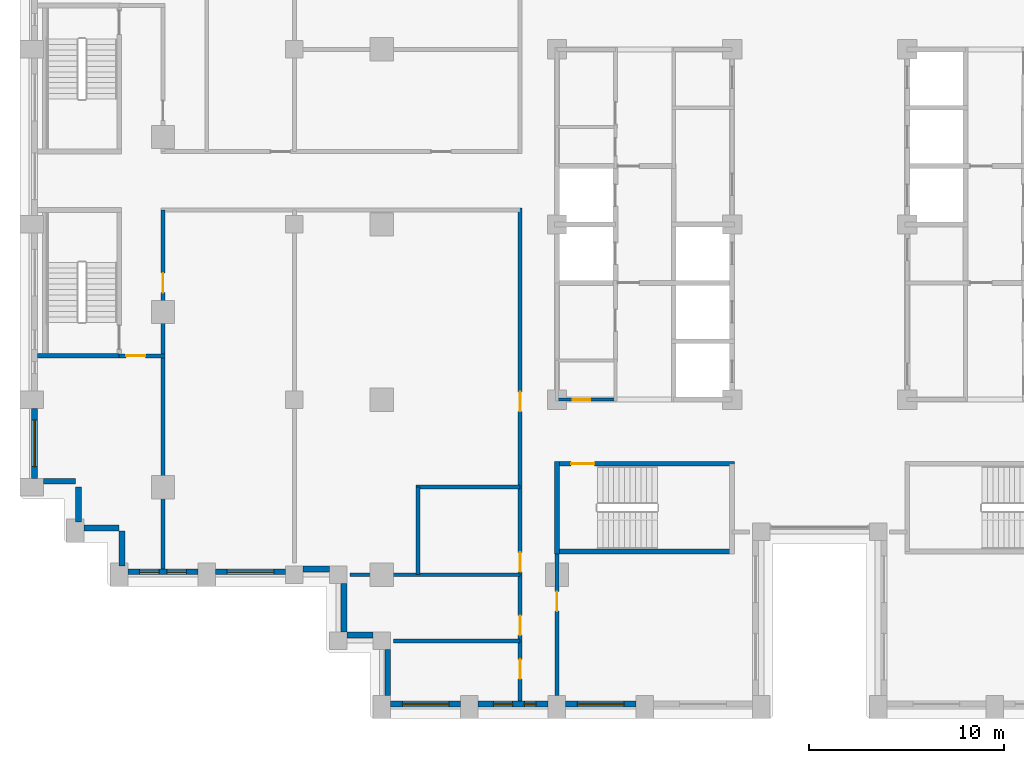
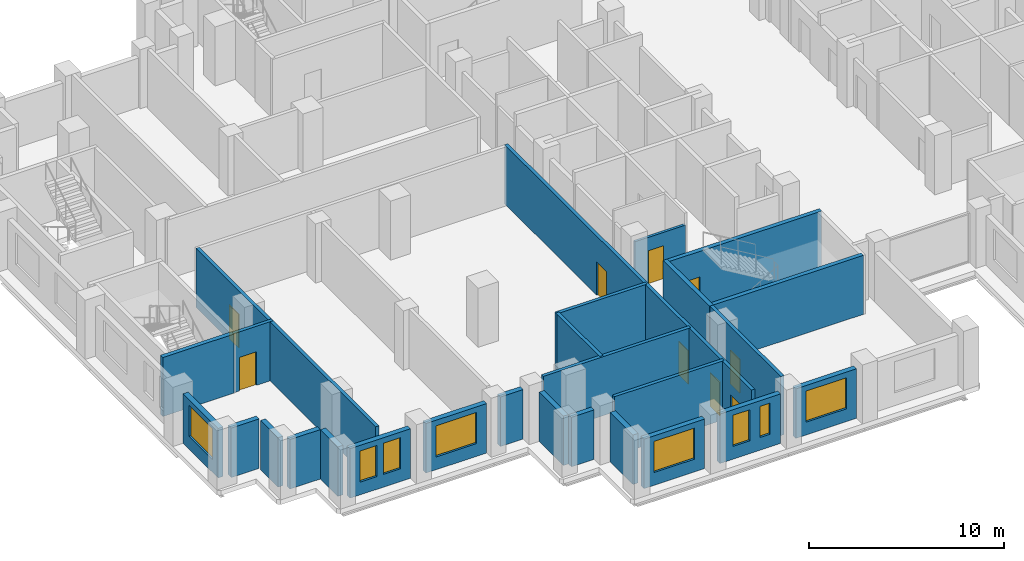
# One storey, part 6 of 16: 27 walls, 9 doors, 8 windows, 17 openings.
"""IFC4 building model written with IfcOpenShell, lengths in metres."""

import ifcopenshell
import ifcopenshell.guid

model = None  # the IFC model being written
_history = None  # IfcOwnerHistory: only IFC2X3 demands one
_inside = {}  # id of a spatial element -> (the spatial element, [elements in it])
_under = {}  # id of a project, library or spatial element -> (it, [spatial elements below it])
_declared = {}  # id of a project -> (the project, [libraries it declares])
_typed = {}  # id of a type object -> (the type object, [elements of that type])
_made_of = {}  # id of a material, layer set ... -> (it, [elements and type objects made of it])


def new_model(schema):
    """Start an empty IFC model of exactly this schema.

    Asked for "IFC4X3", IfcOpenShell would pick the latest addendum, in which some entities
    have other attributes; the version numbers below select the first issue.
    IFC2X3 requires an IfcOwnerHistory on every rooted entity: one is made here for all.
    """
    global model, _history
    if schema == "IFC4X3":
        model = ifcopenshell.file(schema_version=(4, 3, 0, 0))
    else:
        model = ifcopenshell.file(schema=schema)
    _inside.clear()
    _under.clear()
    _declared.clear()
    _typed.clear()
    _made_of.clear()
    _history = None
    if model.schema == "IFC2X3":
        org = make("IfcOrganization", Name="unknown")
        user = make(
            "IfcPersonAndOrganization",
            ThePerson=make("IfcPerson", FamilyName="unknown"),
            TheOrganization=org,
        )
        app = make(
            "IfcApplication",
            ApplicationDeveloper=org,
            Version="unknown",
            ApplicationFullName="unknown",
            ApplicationIdentifier="unknown",
        )
        _history = make(
            "IfcOwnerHistory",
            OwningUser=user,
            OwningApplication=app,
            ChangeAction="ADDED",
            CreationDate=0,
        )
    return model


def make(cls, **values):
    """One entity of the class cls with the attributes given. An attribute that is None is left unset."""
    return model.create_entity(
        cls, **{name: value for name, value in values.items() if value is not None}
    )


def rooted(cls, **values):
    """An entity with a GlobalId (a new one), such as an element, a storey or a relation."""
    return make(cls, GlobalId=ifcopenshell.guid.new(), OwnerHistory=_history, **values)


def si_unit(unit_type, name, prefix=None):
    """IfcSIUnit, for example si_unit("LENGTHUNIT", "METRE", prefix="MILLI")."""
    return make("IfcSIUnit", UnitType=unit_type, Prefix=prefix, Name=name)


def assignment(units):
    """IfcUnitAssignment: the units of a project."""
    return None if units is None else make("IfcUnitAssignment", Units=units)


def point(xyz):
    """IfcCartesianPoint."""
    return None if xyz is None else make("IfcCartesianPoint", Coordinates=xyz)


def direction(xyz):
    """IfcDirection."""
    return None if xyz is None else make("IfcDirection", DirectionRatios=xyz)


def frame(location, z_axis=None, x_axis=None):
    """IfcAxis2Placement3D, a coordinate frame: its origin and axes. An axis left out is left unset."""
    return make(
        "IfcAxis2Placement3D",
        Location=point(location),
        Axis=direction(z_axis),
        RefDirection=direction(x_axis),
    )


def frame_2d(location, x_axis=None):
    """IfcAxis2Placement2D, a coordinate frame in the plane: its origin and x axis."""
    return make(
        "IfcAxis2Placement2D", Location=point(location), RefDirection=direction(x_axis)
    )


def origin():
    """The frame at (0, 0, 0) with its axes left unset."""
    return frame((0.0, 0.0, 0.0))


def place(relative_to, where):
    """IfcLocalPlacement: puts the frame where relative to a parent placement (None: the world)."""
    return make(
        "IfcLocalPlacement", PlacementRelTo=relative_to, RelativePlacement=where
    )


def context(
    kind, dimensions, precision=None, world=None, true_north=None, identifier=None
):
    """IfcGeometricRepresentationContext, for example the 3D "Model" context."""
    return make(
        "IfcGeometricRepresentationContext",
        ContextIdentifier=identifier,
        ContextType=kind,
        CoordinateSpaceDimension=dimensions,
        Precision=precision,
        WorldCoordinateSystem=world,
        TrueNorth=true_north,
    )


def subcontext(parent, identifier, kind, view, scale=None):
    """IfcGeometricRepresentationSubContext, for example "Body" below "Model"."""
    return make(
        "IfcGeometricRepresentationSubContext",
        ContextIdentifier=identifier,
        ContextType=kind,
        ParentContext=parent,
        TargetScale=scale,
        TargetView=view,
    )


def project(units=None, contexts=None):
    """IfcProject with its units and contexts."""
    return rooted(
        "IfcProject",
        Name="project",
        RepresentationContexts=contexts,
        UnitsInContext=assignment(units),
    )


def spatial(cls, under=None, at=None, **own):
    """A site, building, storey or space (cls), placed at a placement, below another one or the project."""
    s = rooted(cls, ObjectPlacement=at, **own)
    if under is not None:
        _under.setdefault(under.id(), (under, []))[1].append(s)
    return s


def profile(cls, at=None, kind="AREA", **sizes):
    """A parametric profile (cls). Its sizes go by their IFC names, for example OverallWidth=200.0."""
    return make(cls, ProfileType=kind, Position=at, **sizes)


def rectangle(**sizes):
    """IfcRectangleProfileDef."""
    return profile("IfcRectangleProfileDef", **sizes)


def extrude(swept, where, along, depth):
    """IfcExtrudedAreaSolid: the profile swept, set in the frame where, extruded along a direction by depth."""
    return make(
        "IfcExtrudedAreaSolid",
        SweptArea=swept,
        Position=where,
        ExtrudedDirection=direction(along),
        Depth=depth,
    )


def shape(context_of_items, identifier, shape_type, items):
    """IfcShapeRepresentation: the items that make up one representation, for example the "Body"."""
    return make(
        "IfcShapeRepresentation",
        ContextOfItems=context_of_items,
        RepresentationIdentifier=identifier,
        RepresentationType=shape_type,
        Items=items,
    )


def material(Name=None, Category=None):
    """IfcMaterial."""
    return make("IfcMaterial", Name=Name, Category=Category)


def layer(
    of_material, thickness, ventilated=None, Name=None, Category=None, Priority=None
):
    """IfcMaterialLayer: one layer of a wall or slab, of a material (None: an air gap)."""
    return make(
        "IfcMaterialLayer",
        Material=of_material,
        LayerThickness=thickness,
        IsVentilated=ventilated,
        Name=Name,
        Category=Category,
        Priority=Priority,
    )


def layer_set(layers, Name=None):
    """IfcMaterialLayerSet."""
    return make("IfcMaterialLayerSet", MaterialLayers=layers, LayerSetName=Name)


def made_of(thing, what):
    """Note that an element or type object is made of a material, layer set ...; save() writes the relation."""
    if what is not None:
        _made_of.setdefault(what.id(), (what, []))[1].append(thing)
    return thing


def type_object(cls, material=None, **own):
    """A type object (cls), such as IfcWallType, which elements share."""
    return made_of(rooted(cls, **own), material)


def element(
    cls,
    number,
    at=None,
    inside=None,
    cuts=None,
    type_object=None,
    material=None,
    context=None,
    identifier="Body",
    shape_type=None,
    held_by="IfcProductDefinitionShape",
    body=None,
    shapes=None,
    **own,
):
    """One element of the class cls, such as IfcWall. Its Tag is "e" and its number.

    at: its placement. inside: the storey or other place that contains it. cuts: it is an
    opening in that element (IfcRelVoidsElement). A single representation is given by context,
    identifier, shape_type and body (its items); several are given by shapes. held_by: the class
    of the entity that holds the representations. save() writes the other relations.
    """
    e = rooted(cls, Tag="e%d" % number, ObjectPlacement=at, **own)
    if body is not None:
        shapes = [shape(context, identifier, shape_type, body)]
    if shapes is not None:
        e.Representation = make(held_by, Representations=shapes)
    if inside is not None:
        _inside.setdefault(inside.id(), (inside, []))[1].append(e)
    if cuts is not None:
        rooted(
            "IfcRelVoidsElement", RelatingBuildingElement=cuts, RelatedOpeningElement=e
        )
    if type_object is not None:
        _typed.setdefault(type_object.id(), (type_object, []))[1].append(e)
    return made_of(e, material)


def fill(opening, filler):
    """IfcRelFillsElement: the door or window that sits in an opening."""
    return rooted(
        "IfcRelFillsElement",
        RelatingOpeningElement=opening,
        RelatedBuildingElement=filler,
    )


def aggregate(whole, parts):
    """IfcRelAggregates: a whole, such as a stair, and the parts it consists of."""
    return rooted("IfcRelAggregates", RelatingObject=whole, RelatedObjects=parts)


def save(model, path):
    """Write the relations noted so far, then the file.

    IfcRelAggregates (storeys below a building ...), IfcRelContainedInSpatialStructure (elements
    in a storey), IfcRelDefinesByType, IfcRelAssociatesMaterial and IfcRelDeclares: one each for
    every whole, place, type object, material and project.
    """
    for whole, parts in _under.values():
        aggregate(whole, parts)
    for where, things in _inside.values():
        rooted(
            "IfcRelContainedInSpatialStructure",
            RelatedElements=things,
            RelatingStructure=where,
        )
    for kind, things in _typed.values():
        rooted("IfcRelDefinesByType", RelatedObjects=things, RelatingType=kind)
    for what, things in _made_of.values():
        rooted("IfcRelAssociatesMaterial", RelatedObjects=things, RelatingMaterial=what)
    for by, libraries in _declared.values():
        rooted("IfcRelDeclares", RelatingContext=by, RelatedDefinitions=libraries)
    model.write(path)


model = new_model("IFC4")

# Units and contexts
model_context = context("Model", 3, precision=1e-05, world=origin(), true_north=direction((0.0, 1.0)))
body_context = subcontext(model_context, "Body", "Model", "MODEL_VIEW")
ifc_project = project(units=[si_unit("LENGTHUNIT", "METRE"), si_unit("AREAUNIT", "SQUARE_METRE"), si_unit("VOLUMEUNIT", "CUBIC_METRE"), si_unit("PLANEANGLEUNIT", "RADIAN"), si_unit("MASSUNIT", "GRAM", prefix="KILO")], contexts=[model_context])

# Site, building, storey
site_placement = place(None, origin())
site = spatial("IfcSite", under=ifc_project, at=site_placement, CompositionType="ELEMENT")
building_placement = place(site_placement, origin())
building = spatial("IfcBuilding", under=site, at=building_placement, Name="Corbelhall Arena Tower", CompositionType="ELEMENT")
storey_placement = place(building_placement, frame((0.0, 0.0, 76.0)))
storey = spatial("IfcBuildingStorey", under=building, at=storey_placement, Name="L11", CompositionType="ELEMENT", Elevation=76.0)

# Walls
ifc_material_1 = material(Name="Precast concrete C40/50 with granite facing", Category="masonry")
ifc_layer_1 = layer(ifc_material_1, 0.300048828125)
ifc_layer_set_1 = layer_set([ifc_layer_1], Name="EV-IW1 Infill panel 300")
wall_type_1 = type_object("IfcWallType", Name="EV-IW1 Infill panel 300", PredefinedType="SOLIDWALL", material=ifc_layer_set_1)
wall_1_placement = place(storey_placement, frame((-39.89990234375, -13.199951171875, 0.0), z_axis=(0.0, 0.0, 1.0), x_axis=(1.0, 0.0, 0.0)))
element("IfcWall", 1, at=wall_1_placement, inside=storey, type_object=wall_type_1, Name="Infill panel IW1", PredefinedType="SOLIDWALL", context=body_context, shape_type="SweptSolid", body=[
    extrude(rectangle(XDim=1.64990234375, YDim=0.300048828125, at=frame_2d((0.824951171875, 0.0))), origin(), (0.0, 0.0, 1.0), 3.10009765625),
])
for number, where, z_axis, x_axis, name in (
    (2, (-38.10009765625, -15.300048828125, 0.0), (0.0, 0.0, 1.0), (0.0, 1.0, 0.0), "Infill panel IW1"),
    (3, (-37.800048828125, -15.60009765625, 0.0), (0.0, 0.0, 1.0), (1.0, 0.0, 0.0), "Infill panel IW1"),
    (4, (-35.85009765625, -17.550048828125, 0.0), (0.0, 0.0, 1.0), (0.0, 1.0, 0.0), "Infill panel IW1"),
):
    element("IfcWall", number, at=place(storey_placement, frame(where, z_axis=z_axis, x_axis=x_axis)), inside=storey, type_object=wall_type_1, Name=name, PredefinedType="SOLIDWALL", context=body_context, shape_type="SweptSolid", body=[
        extrude(rectangle(XDim=1.800048828125, YDim=0.300048828125, at=frame_2d((0.89990234375, 0.0))), origin(), (0.0, 0.0, 1.0), 3.10009765625),
    ])

# Wall, opening, window
wall_2_placement = place(storey_placement, frame((-40.35009765625, -9.449951171875, 0.0), z_axis=(0.0, 0.0, 1.0), x_axis=(0.0, -1.0, 0.0)))
wall_2 = element("IfcWall", 5, at=wall_2_placement, inside=storey, type_object=wall_type_1, Name="Infill panel IW1", PredefinedType="SOLIDWALL", context=body_context, shape_type="SweptSolid", body=[
    extrude(rectangle(XDim=3.60009765625, YDim=0.300048828125, at=frame_2d((1.800048828125, 0.0))), origin(), (0.0, 0.0, 1.0), 3.10009765625),
])
opening_1_placement = place(wall_2_placement, frame((0.60009765625, 0.0, 0.800048828125)))
opening_1 = element("IfcOpeningElement", 6, at=opening_1_placement, cuts=wall_2, Name="Opening WN1", PredefinedType="OPENING", context=body_context, shape_type="SweptSolid", body=[
    extrude(rectangle(XDim=2.39990234375, YDim=1.949951171875, at=frame_2d((1.199951171875, 0.97509765625))), frame((0.0, 0.14990234375, 0.0), z_axis=(0.0, -1.0, 0.0), x_axis=(1.0, 0.0, 0.0)), (0.0, 0.0, 1.0), 0.300048828125),
])
ifc_material_2 = material(Name="Aluminium black anodised", Category="aluminium")
window_type_1 = type_object("IfcWindowType", Name="EV-WN1 Office window", PartitioningType="SINGLE_PANEL", PredefinedType="WINDOW", material=ifc_material_2)
window_1_placement = place(opening_1_placement, origin())
window_1 = element("IfcWindow", 7, at=window_1_placement, inside=storey, type_object=window_type_1, Name="Window WN1", OverallHeight=1.949951171875, OverallWidth=2.39990234375, PartitioningType="SINGLE_PANEL", PredefinedType="WINDOW", context=body_context, shape_type="SweptSolid", body=[
    extrude(rectangle(XDim=2.39990234375, YDim=1.949951171875, at=frame_2d((1.199951171875, 0.97509765625))), frame((0.0, 0.030029296875, 0.0), z_axis=(0.0, -1.0, 0.0), x_axis=(1.0, 0.0, 0.0)), (0.0, 0.0, 1.0), 0.06005859375),
])
fill(opening_1, window_1)

# Wall, openings, windows
wall_3_placement = place(storey_placement, frame((-35.550048828125, -17.85009765625, 0.0), z_axis=(0.0, 0.0, 1.0), x_axis=(1.0, 0.0, 0.0)))
wall_3 = element("IfcWall", 8, at=wall_3_placement, inside=storey, type_object=wall_type_1, Name="Infill panel IW1", PredefinedType="SOLIDWALL", context=body_context, shape_type="SweptSolid", body=[
    extrude(rectangle(XDim=3.60009765625, YDim=0.300048828125, at=frame_2d((1.800048828125, 0.0))), origin(), (0.0, 0.0, 1.0), 3.10009765625),
])
opening_2_placement = place(wall_3_placement, frame((0.60009765625, 0.0, 0.800048828125)))
opening_2 = element("IfcOpeningElement", 9, at=opening_2_placement, cuts=wall_3, Name="Opening WN6", PredefinedType="OPENING", context=body_context, shape_type="SweptSolid", body=[
    extrude(rectangle(XDim=1.0, YDim=1.949951171875, at=frame_2d((0.5, 0.97509765625))), frame((0.0, 0.14990234375, 0.0), z_axis=(0.0, -1.0, 0.0), x_axis=(1.0, 0.0, 0.0)), (0.0, 0.0, 1.0), 0.300048828125),
])
opening_3_placement = place(wall_3_placement, frame((2.0, 0.0, 0.800048828125)))
opening_3 = element("IfcOpeningElement", 10, at=opening_3_placement, cuts=wall_3, Name="Opening WN6", PredefinedType="OPENING", context=body_context, shape_type="SweptSolid", body=[
    extrude(rectangle(XDim=1.0, YDim=1.949951171875, at=frame_2d((0.5, 0.97509765625))), frame((0.0, 0.14990234375, 0.0), z_axis=(0.0, -1.0, 0.0), x_axis=(1.0, 0.0, 0.0)), (0.0, 0.0, 1.0), 0.300048828125),
])
window_type_2 = type_object("IfcWindowType", Name="EV-WN6 Office window 1000", PartitioningType="SINGLE_PANEL", PredefinedType="WINDOW", material=ifc_material_2)
window_2_placement = place(opening_2_placement, origin())
window_2 = element("IfcWindow", 11, at=window_2_placement, inside=storey, type_object=window_type_2, Name="Window WN6", OverallHeight=1.949951171875, OverallWidth=1.0, PartitioningType="SINGLE_PANEL", PredefinedType="WINDOW", context=body_context, shape_type="SweptSolid", body=[
    extrude(rectangle(XDim=1.0, YDim=1.949951171875, at=frame_2d((0.5, 0.97509765625))), frame((0.0, 0.030029296875, 0.0), z_axis=(0.0, -1.0, 0.0), x_axis=(1.0, 0.0, 0.0)), (0.0, 0.0, 1.0), 0.06005859375),
])
fill(opening_2, window_2)
window_3_placement = place(opening_3_placement, origin())
window_3 = element("IfcWindow", 12, at=window_3_placement, inside=storey, type_object=window_type_2, Name="Window WN6", OverallHeight=1.949951171875, OverallWidth=1.0, PartitioningType="SINGLE_PANEL", PredefinedType="WINDOW", context=body_context, shape_type="SweptSolid", body=[
    extrude(rectangle(XDim=1.0, YDim=1.949951171875, at=frame_2d((0.5, 0.97509765625))), frame((0.0, 0.030029296875, 0.0), z_axis=(0.0, -1.0, 0.0), x_axis=(1.0, 0.0, 0.0)), (0.0, 0.0, 1.0), 0.06005859375),
])
fill(opening_3, window_3)

# Wall, opening, window
wall_4_placement = place(storey_placement, frame((-31.050048828125, -17.85009765625, 0.0), z_axis=(0.0, 0.0, 1.0), x_axis=(1.0, 0.0, 0.0)))
wall_4 = element("IfcWall", 13, at=wall_4_placement, inside=storey, type_object=wall_type_1, Name="Infill panel IW1", PredefinedType="SOLIDWALL", context=body_context, shape_type="SweptSolid", body=[
    extrude(rectangle(XDim=3.60009765625, YDim=0.300048828125, at=frame_2d((1.800048828125, 0.0))), origin(), (0.0, 0.0, 1.0), 3.10009765625),
])
opening_4_placement = place(wall_4_placement, frame((0.60009765625, 0.0, 0.800048828125)))
opening_4 = element("IfcOpeningElement", 14, at=opening_4_placement, cuts=wall_4, Name="Opening WN1", PredefinedType="OPENING", context=body_context, shape_type="SweptSolid", body=[
    extrude(rectangle(XDim=2.39990234375, YDim=1.949951171875, at=frame_2d((1.199951171875, 0.97509765625))), frame((0.0, 0.14990234375, 0.0), z_axis=(0.0, -1.0, 0.0), x_axis=(1.0, 0.0, 0.0)), (0.0, 0.0, 1.0), 0.300048828125),
])
window_4_placement = place(opening_4_placement, origin())
window_4 = element("IfcWindow", 15, at=window_4_placement, inside=storey, type_object=window_type_1, Name="Window WN1", OverallHeight=1.949951171875, OverallWidth=2.39990234375, PartitioningType="SINGLE_PANEL", PredefinedType="WINDOW", context=body_context, shape_type="SweptSolid", body=[
    extrude(rectangle(XDim=2.39990234375, YDim=1.949951171875, at=frame_2d((1.199951171875, 0.97509765625))), frame((0.0, 0.030029296875, 0.0), z_axis=(0.0, -1.0, 0.0), x_axis=(1.0, 0.0, 0.0)), (0.0, 0.0, 1.0), 0.06005859375),
])
fill(opening_4, window_4)

# Walls
wall_5_placement = place(storey_placement, frame((-26.550048828125, -17.699951171875, 0.0), z_axis=(0.0, 0.0, 1.0), x_axis=(1.0, 0.0, 0.0)))
element("IfcWall", 16, at=wall_5_placement, inside=storey, type_object=wall_type_1, Name="Infill panel IW1", PredefinedType="SOLIDWALL", context=body_context, shape_type="SweptSolid", body=[
    extrude(rectangle(XDim=1.35009765625, YDim=0.300048828125, at=frame_2d((0.675048828125, 0.0))), origin(), (0.0, 0.0, 1.0), 3.10009765625),
])
wall_6_placement = place(storey_placement, frame((-24.449951171875, -18.449951171875, 0.0), z_axis=(0.0, 0.0, 1.0), x_axis=(0.0, -1.0, 0.0)))
element("IfcWall", 17, at=wall_6_placement, inside=storey, type_object=wall_type_1, Name="Infill panel IW1", PredefinedType="SOLIDWALL", context=body_context, shape_type="SweptSolid", body=[
    extrude(rectangle(XDim=2.5, YDim=0.300048828125, at=frame_2d((1.25, 0.0))), origin(), (0.0, 0.0, 1.0), 3.10009765625),
])
wall_7_placement = place(storey_placement, frame((-24.300048828125, -21.10009765625, 0.0), z_axis=(0.0, 0.0, 1.0), x_axis=(1.0, 0.0, 0.0)))
element("IfcWall", 18, at=wall_7_placement, inside=storey, type_object=wall_type_1, Name="Infill panel IW1", PredefinedType="SOLIDWALL", context=body_context, shape_type="SweptSolid", body=[
    extrude(rectangle(XDim=1.35009765625, YDim=0.300048828125, at=frame_2d((0.675048828125, 0.0))), origin(), (0.0, 0.0, 1.0), 3.10009765625),
])
wall_8_placement = place(storey_placement, frame((-22.199951171875, -21.85009765625, 0.0), z_axis=(0.0, 0.0, 1.0), x_axis=(0.0, -1.0, 0.0)))
element("IfcWall", 19, at=wall_8_placement, inside=storey, type_object=wall_type_1, Name="Infill panel IW1", PredefinedType="SOLIDWALL", context=body_context, shape_type="SweptSolid", body=[
    extrude(rectangle(XDim=2.349853515625, YDim=0.300048828125, at=frame_2d((1.1748046875, 0.0))), origin(), (0.0, 0.0, 1.0), 3.10009765625),
])

# Wall, opening, window
wall_9_placement = place(storey_placement, frame((-22.050048828125, -24.64990234375, 0.0), z_axis=(0.0, 0.0, 1.0), x_axis=(1.0, 0.0, 0.0)))
wall_9 = element("IfcWall", 20, at=wall_9_placement, inside=storey, type_object=wall_type_1, Name="Infill panel IW1", PredefinedType="SOLIDWALL", context=body_context, shape_type="SweptSolid", body=[
    extrude(rectangle(XDim=3.60009765625, YDim=0.300048828125, at=frame_2d((1.800048828125, 0.0))), origin(), (0.0, 0.0, 1.0), 3.10009765625),
])
opening_5_placement = place(wall_9_placement, frame((0.60009765625, 0.0, 0.800048828125)))
opening_5 = element("IfcOpeningElement", 21, at=opening_5_placement, cuts=wall_9, Name="Opening WN1", PredefinedType="OPENING", context=body_context, shape_type="SweptSolid", body=[
    extrude(rectangle(XDim=2.39990234375, YDim=1.949951171875, at=frame_2d((1.199951171875, 0.97509765625))), frame((0.0, 0.14990234375, 0.0), z_axis=(0.0, -1.0, 0.0), x_axis=(1.0, 0.0, 0.0)), (0.0, 0.0, 1.0), 0.300048828125),
])
window_5_placement = place(opening_5_placement, origin())
window_5 = element("IfcWindow", 22, at=window_5_placement, inside=storey, type_object=window_type_1, Name="Window WN1", OverallHeight=1.949951171875, OverallWidth=2.39990234375, PartitioningType="SINGLE_PANEL", PredefinedType="WINDOW", context=body_context, shape_type="SweptSolid", body=[
    extrude(rectangle(XDim=2.39990234375, YDim=1.949951171875, at=frame_2d((1.199951171875, 0.97509765625))), frame((0.0, 0.030029296875, 0.0), z_axis=(0.0, -1.0, 0.0), x_axis=(1.0, 0.0, 0.0)), (0.0, 0.0, 1.0), 0.06005859375),
])
fill(opening_5, window_5)

# Wall, openings, windows
wall_10_placement = place(storey_placement, frame((-17.550048828125, -24.64990234375, 0.0), z_axis=(0.0, 0.0, 1.0), x_axis=(1.0, 0.0, 0.0)))
wall_10 = element("IfcWall", 23, at=wall_10_placement, inside=storey, type_object=wall_type_1, Name="Infill panel IW1", PredefinedType="SOLIDWALL", context=body_context, shape_type="SweptSolid", body=[
    extrude(rectangle(XDim=3.60009765625, YDim=0.300048828125, at=frame_2d((1.800048828125, 0.0))), origin(), (0.0, 0.0, 1.0), 3.10009765625),
])
opening_6_placement = place(wall_10_placement, frame((0.77490234375, 0.0, 0.800048828125)))
opening_6 = element("IfcOpeningElement", 24, at=opening_6_placement, cuts=wall_10, Name="Opening WN6", PredefinedType="OPENING", context=body_context, shape_type="SweptSolid", body=[
    extrude(rectangle(XDim=1.0, YDim=1.949951171875, at=frame_2d((0.5, 0.97509765625))), frame((0.0, 0.14990234375, 0.0), z_axis=(0.0, -1.0, 0.0), x_axis=(1.0, 0.0, 0.0)), (0.0, 0.0, 1.0), 0.300048828125),
])
opening_7_placement = place(wall_10_placement, frame((2.375, 0.0, 0.800048828125)))
opening_7 = element("IfcOpeningElement", 25, at=opening_7_placement, cuts=wall_10, Name="Opening WN5", PredefinedType="OPENING", context=body_context, shape_type="SweptSolid", body=[
    extrude(rectangle(XDim=0.60009765625, YDim=1.949951171875, at=frame_2d((0.300048828125, 0.97509765625))), frame((0.0, 0.14990234375, 0.0), z_axis=(0.0, -1.0, 0.0), x_axis=(1.0, 0.0, 0.0)), (0.0, 0.0, 1.0), 0.300048828125),
])
window_type_3 = type_object("IfcWindowType", Name="EV-WN5 Office window 600", PartitioningType="SINGLE_PANEL", PredefinedType="WINDOW", material=ifc_material_2)
window_6_placement = place(opening_7_placement, origin())
window_6 = element("IfcWindow", 26, at=window_6_placement, inside=storey, type_object=window_type_3, Name="Window WN5", OverallHeight=1.949951171875, OverallWidth=0.60009765625, PartitioningType="SINGLE_PANEL", PredefinedType="WINDOW", context=body_context, shape_type="SweptSolid", body=[
    extrude(rectangle(XDim=0.60009765625, YDim=1.949951171875, at=frame_2d((0.300048828125, 0.97509765625))), frame((0.0, 0.030029296875, 0.0), z_axis=(0.0, -1.0, 0.0), x_axis=(1.0, 0.0, 0.0)), (0.0, 0.0, 1.0), 0.06005859375),
])
fill(opening_7, window_6)
window_7_placement = place(opening_6_placement, origin())
window_7 = element("IfcWindow", 27, at=window_7_placement, inside=storey, type_object=window_type_2, Name="Window WN6", OverallHeight=1.949951171875, OverallWidth=1.0, PartitioningType="SINGLE_PANEL", PredefinedType="WINDOW", context=body_context, shape_type="SweptSolid", body=[
    extrude(rectangle(XDim=1.0, YDim=1.949951171875, at=frame_2d((0.5, 0.97509765625))), frame((0.0, 0.030029296875, 0.0), z_axis=(0.0, -1.0, 0.0), x_axis=(1.0, 0.0, 0.0)), (0.0, 0.0, 1.0), 0.06005859375),
])
fill(opening_6, window_7)

# Wall, opening, window
wall_11_placement = place(storey_placement, frame((-13.050048828125, -24.64990234375, 0.0), z_axis=(0.0, 0.0, 1.0), x_axis=(1.0, 0.0, 0.0)))
wall_11 = element("IfcWall", 28, at=wall_11_placement, inside=storey, type_object=wall_type_1, Name="Infill panel IW1", PredefinedType="SOLIDWALL", context=body_context, shape_type="SweptSolid", body=[
    extrude(rectangle(XDim=3.60009765625, YDim=0.300048828125, at=frame_2d((1.800048828125, 0.0))), origin(), (0.0, 0.0, 1.0), 3.10009765625),
])
opening_8_placement = place(wall_11_placement, frame((0.60009765625, 0.0, 0.800048828125)))
opening_8 = element("IfcOpeningElement", 29, at=opening_8_placement, cuts=wall_11, Name="Opening WN1", PredefinedType="OPENING", context=body_context, shape_type="SweptSolid", body=[
    extrude(rectangle(XDim=2.39990234375, YDim=1.949951171875, at=frame_2d((1.199951171875, 0.97509765625))), frame((0.0, 0.14990234375, 0.0), z_axis=(0.0, -1.0, 0.0), x_axis=(1.0, 0.0, 0.0)), (0.0, 0.0, 1.0), 0.300048828125),
])
window_8_placement = place(opening_8_placement, origin())
window_8 = element("IfcWindow", 30, at=window_8_placement, inside=storey, type_object=window_type_1, Name="Window WN1", OverallHeight=1.949951171875, OverallWidth=2.39990234375, PartitioningType="SINGLE_PANEL", PredefinedType="WINDOW", context=body_context, shape_type="SweptSolid", body=[
    extrude(rectangle(XDim=2.39990234375, YDim=1.949951171875, at=frame_2d((1.199951171875, 0.97509765625))), frame((0.0, 0.030029296875, 0.0), z_axis=(0.0, -1.0, 0.0), x_axis=(1.0, 0.0, 0.0)), (0.0, 0.0, 1.0), 0.06005859375),
])
fill(opening_8, window_8)

# Wall, opening, door
ifc_material_3 = material(Name="Gypsum board on steel stud, acoustic", Category="steel")
ifc_layer_2 = layer(ifc_material_3, 0.199951171875)
ifc_layer_set_2 = layer_set([ifc_layer_2], Name="IN-W-DM200")
wall_type_2 = type_object("IfcWallType", Name="IN-W-DM200", PredefinedType="PARTITIONING", material=ifc_layer_set_2)
wall_12_placement = place(storey_placement, frame((-33.75, 0.75, 0.0), z_axis=(0.0, 0.0, 1.0), x_axis=(0.0, -1.0, 0.0)))
wall_12 = element("IfcWall", 31, at=wall_12_placement, inside=storey, type_object=wall_type_2, Name="Partition 003", PredefinedType="PARTITIONING", context=body_context, shape_type="SweptSolid", body=[
    extrude(rectangle(XDim=18.449951171875, YDim=0.199951171875, at=frame_2d((9.22509765625, 0.0))), origin(), (0.0, 0.0, 1.0), 3.699951171875),
])
opening_9_placement = place(wall_12_placement, frame((3.25, 0.0, 0.0)))
opening_9 = element("IfcOpeningElement", 32, at=opening_9_placement, cuts=wall_12, Name="Opening 01043", PredefinedType="OPENING", context=body_context, shape_type="SweptSolid", body=[
    extrude(rectangle(XDim=1.0, YDim=2.10009765625, at=frame_2d((0.5, 1.050048828125))), frame((0.0, 0.10009765625, 0.0), z_axis=(0.0, -1.0, 0.0), x_axis=(1.0, 0.0, 0.0)), (0.0, 0.0, 1.0), 0.199951171875),
])
ifc_material_4 = material(Name="Steel door set", Category="steel")
door_type_1 = type_object("IfcDoorType", Name="IN-D-SW100", OperationType="NOTDEFINED", PredefinedType="DOOR", material=ifc_material_4)
door_1_placement = place(opening_9_placement, origin())
door_1 = element("IfcDoor", 33, at=door_1_placement, inside=storey, type_object=door_type_1, Name="Door 043", OperationType="SINGLE_SWING_RIGHT", OverallHeight=2.10009765625, OverallWidth=1.0, PredefinedType="DOOR", context=body_context, shape_type="SweptSolid", body=[
    extrude(rectangle(XDim=1.0, YDim=2.10009765625, at=frame_2d((0.5, 1.050048828125))), frame((0.0, 0.02490234375, 0.0), z_axis=(0.0, -1.0, 0.0), x_axis=(1.0, 0.0, 0.0)), (0.0, 0.0, 1.0), 0.050048828125),
])
fill(opening_9, door_1)

wall_13_placement = place(storey_placement, frame((-33.64990234375, -6.75, 0.0), z_axis=(0.0, 0.0, 1.0), x_axis=(-1.0, 0.0, 0.0)))
wall_13 = element("IfcWall", 34, at=wall_13_placement, inside=storey, type_object=wall_type_2, Name="Partition 005", PredefinedType="PARTITIONING", context=body_context, shape_type="SweptSolid", body=[
    extrude(rectangle(XDim=2.35009765625, YDim=0.199951171875, at=frame_2d((1.175048828125, 0.0))), origin(), (0.0, 0.0, 1.0), 3.699951171875),
])
opening_10_placement = place(wall_13_placement, frame((1.0, 0.0, 0.0)))
opening_10 = element("IfcOpeningElement", 35, at=opening_10_placement, cuts=wall_13, Name="Opening 01042", PredefinedType="OPENING", context=body_context, shape_type="SweptSolid", body=[
    extrude(rectangle(XDim=1.0, YDim=2.10009765625, at=frame_2d((0.5, 1.050048828125))), frame((0.0, 0.10009765625, 0.0), z_axis=(0.0, -1.0, 0.0), x_axis=(1.0, 0.0, 0.0)), (0.0, 0.0, 1.0), 0.199951171875),
])
door_2_placement = place(opening_10_placement, origin())
door_2 = element("IfcDoor", 36, at=door_2_placement, inside=storey, type_object=door_type_1, Name="Door 042", OperationType="SINGLE_SWING_LEFT", OverallHeight=2.10009765625, OverallWidth=1.0, PredefinedType="DOOR", context=body_context, shape_type="SweptSolid", body=[
    extrude(rectangle(XDim=1.0, YDim=2.10009765625, at=frame_2d((0.5, 1.050048828125))), frame((0.0, 0.02490234375, 0.0), z_axis=(0.0, -1.0, 0.0), x_axis=(1.0, 0.0, 0.0)), (0.0, 0.0, 1.0), 0.050048828125),
])
fill(opening_10, door_2)

# Walls
wall_14_placement = place(storey_placement, frame((-24.14990234375, -18.0, 0.0), z_axis=(0.0, 0.0, 1.0), x_axis=(1.0, 0.0, 0.0)))
element("IfcWall", 37, at=wall_14_placement, inside=storey, type_object=wall_type_2, Name="Partition 011", PredefinedType="PARTITIONING", context=body_context, shape_type="SweptSolid", body=[
    extrude(rectangle(XDim=8.75, YDim=0.199951171875, at=frame_2d((4.375, 0.0))), origin(), (0.0, 0.0, 1.0), 3.699951171875),
])
wall_15_placement = place(storey_placement, frame((-21.89990234375, -21.39990234375, 0.0), z_axis=(0.0, 0.0, 1.0), x_axis=(1.0, 0.0, 0.0)))
element("IfcWall", 38, at=wall_15_placement, inside=storey, type_object=wall_type_2, Name="Partition 012", PredefinedType="PARTITIONING", context=body_context, shape_type="SweptSolid", body=[
    extrude(rectangle(XDim=6.5, YDim=0.199951171875, at=frame_2d((3.25, 0.0))), origin(), (0.0, 0.0, 1.0), 3.699951171875),
])
wall_16_placement = place(storey_placement, frame((-20.75, -13.5, 0.0), z_axis=(0.0, 0.0, 1.0), x_axis=(1.0, 0.0, 0.0)))
element("IfcWall", 39, at=wall_16_placement, inside=storey, type_object=wall_type_2, Name="Partition 014", PredefinedType="PARTITIONING", context=body_context, shape_type="SweptSolid", body=[
    extrude(rectangle(XDim=5.35009765625, YDim=0.199951171875, at=frame_2d((2.675048828125, 0.0))), origin(), (0.0, 0.0, 1.0), 3.699951171875),
])
wall_17_placement = place(storey_placement, frame((-20.64990234375, -18.0, 0.0), z_axis=(0.0, 0.0, 1.0), x_axis=(0.0, 1.0, 0.0)))
element("IfcWall", 40, at=wall_17_placement, inside=storey, type_object=wall_type_2, Name="Partition 015", PredefinedType="PARTITIONING", context=body_context, shape_type="SweptSolid", body=[
    extrude(rectangle(XDim=4.5, YDim=0.199951171875, at=frame_2d((2.25, 0.0))), origin(), (0.0, 0.0, 1.0), 3.699951171875),
])

# Wall, openings, doors
wall_18_placement = place(storey_placement, frame((-15.39990234375, -24.5, 0.0), z_axis=(0.0, 0.0, 1.0), x_axis=(0.0, 1.0, 0.0)))
wall_18 = element("IfcWall", 41, at=wall_18_placement, inside=storey, type_object=wall_type_2, Name="Partition 016", PredefinedType="PARTITIONING", context=body_context, shape_type="SweptSolid", body=[
    extrude(rectangle(XDim=25.35009765625, YDim=0.199951171875, at=frame_2d((12.675048828125, 0.0))), origin(), (0.0, 0.0, 1.0), 3.699951171875),
])
opening_11_placement = place(wall_18_placement, frame((1.14990234375, 0.0, 0.0)))
opening_11 = element("IfcOpeningElement", 42, at=opening_11_placement, cuts=wall_18, Name="Opening 01029", PredefinedType="OPENING", context=body_context, shape_type="SweptSolid", body=[
    extrude(rectangle(XDim=1.0, YDim=2.10009765625, at=frame_2d((0.5, 1.050048828125))), frame((0.0, 0.10009765625, 0.0), z_axis=(0.0, -1.0, 0.0), x_axis=(1.0, 0.0, 0.0)), (0.0, 0.0, 1.0), 0.199951171875),
])
opening_12_placement = place(wall_18_placement, frame((3.39990234375, 0.0, 0.0)))
opening_12 = element("IfcOpeningElement", 43, at=opening_12_placement, cuts=wall_18, Name="Opening 01030", PredefinedType="OPENING", context=body_context, shape_type="SweptSolid", body=[
    extrude(rectangle(XDim=1.0, YDim=2.10009765625, at=frame_2d((0.5, 1.050048828125))), frame((0.0, 0.10009765625, 0.0), z_axis=(0.0, -1.0, 0.0), x_axis=(1.0, 0.0, 0.0)), (0.0, 0.0, 1.0), 0.199951171875),
])
opening_13_placement = place(wall_18_placement, frame((6.64990234375, 0.0, 0.0)))
opening_13 = element("IfcOpeningElement", 44, at=opening_13_placement, cuts=wall_18, Name="Opening 01031", PredefinedType="OPENING", context=body_context, shape_type="SweptSolid", body=[
    extrude(rectangle(XDim=1.0, YDim=2.10009765625, at=frame_2d((0.5, 1.050048828125))), frame((0.0, 0.10009765625, 0.0), z_axis=(0.0, -1.0, 0.0), x_axis=(1.0, 0.0, 0.0)), (0.0, 0.0, 1.0), 0.199951171875),
])
opening_14_placement = place(wall_18_placement, frame((14.89990234375, 0.0, 0.0)))
opening_14 = element("IfcOpeningElement", 45, at=opening_14_placement, cuts=wall_18, Name="Opening 01032", PredefinedType="OPENING", context=body_context, shape_type="SweptSolid", body=[
    extrude(rectangle(XDim=1.0, YDim=2.10009765625, at=frame_2d((0.5, 1.050048828125))), frame((0.0, 0.10009765625, 0.0), z_axis=(0.0, -1.0, 0.0), x_axis=(1.0, 0.0, 0.0)), (0.0, 0.0, 1.0), 0.199951171875),
])
door_3_placement = place(opening_11_placement, origin())
door_3 = element("IfcDoor", 46, at=door_3_placement, inside=storey, type_object=door_type_1, Name="Door 029", OperationType="SINGLE_SWING_RIGHT", OverallHeight=2.10009765625, OverallWidth=1.0, PredefinedType="DOOR", context=body_context, shape_type="SweptSolid", body=[
    extrude(rectangle(XDim=1.0, YDim=2.10009765625, at=frame_2d((0.5, 1.050048828125))), frame((0.0, 0.02490234375, 0.0), z_axis=(0.0, -1.0, 0.0), x_axis=(1.0, 0.0, 0.0)), (0.0, 0.0, 1.0), 0.050048828125),
])
fill(opening_11, door_3)
door_4_placement = place(opening_12_placement, origin())
door_4 = element("IfcDoor", 47, at=door_4_placement, inside=storey, type_object=door_type_1, Name="Door 030", OperationType="SINGLE_SWING_LEFT", OverallHeight=2.10009765625, OverallWidth=1.0, PredefinedType="DOOR", context=body_context, shape_type="SweptSolid", body=[
    extrude(rectangle(XDim=1.0, YDim=2.10009765625, at=frame_2d((0.5, 1.050048828125))), frame((0.0, 0.02490234375, 0.0), z_axis=(0.0, -1.0, 0.0), x_axis=(1.0, 0.0, 0.0)), (0.0, 0.0, 1.0), 0.050048828125),
])
fill(opening_12, door_4)
door_5_placement = place(opening_13_placement, origin())
door_5 = element("IfcDoor", 48, at=door_5_placement, inside=storey, type_object=door_type_1, Name="Door 031", OperationType="SINGLE_SWING_RIGHT", OverallHeight=2.10009765625, OverallWidth=1.0, PredefinedType="DOOR", context=body_context, shape_type="SweptSolid", body=[
    extrude(rectangle(XDim=1.0, YDim=2.10009765625, at=frame_2d((0.5, 1.050048828125))), frame((0.0, 0.02490234375, 0.0), z_axis=(0.0, -1.0, 0.0), x_axis=(1.0, 0.0, 0.0)), (0.0, 0.0, 1.0), 0.050048828125),
])
fill(opening_13, door_5)
door_6_placement = place(opening_14_placement, origin())
door_6 = element("IfcDoor", 49, at=door_6_placement, inside=storey, type_object=door_type_1, Name="Door 032", OperationType="SINGLE_SWING_LEFT", OverallHeight=2.10009765625, OverallWidth=1.0, PredefinedType="DOOR", context=body_context, shape_type="SweptSolid", body=[
    extrude(rectangle(XDim=1.0, YDim=2.10009765625, at=frame_2d((0.5, 1.050048828125))), frame((0.0, 0.02490234375, 0.0), z_axis=(0.0, -1.0, 0.0), x_axis=(1.0, 0.0, 0.0)), (0.0, 0.0, 1.0), 0.050048828125),
])
fill(opening_14, door_6)

# Wall, opening, door
wall_19_placement = place(storey_placement, frame((-13.5, -16.675048828125, 0.0), z_axis=(0.0, 0.0, 1.0), x_axis=(0.0, -1.0, 0.0)))
wall_19 = element("IfcWall", 50, at=wall_19_placement, inside=storey, type_object=wall_type_2, Name="Partition 020", PredefinedType="PARTITIONING", context=body_context, shape_type="SweptSolid", body=[
    extrude(rectangle(XDim=7.52490234375, YDim=0.199951171875, at=frame_2d((3.762451171875, 0.0))), origin(), (0.0, 0.0, 1.0), 3.699951171875),
])
opening_15_placement = place(wall_19_placement, frame((2.199951171875, 0.0, 0.0)))
opening_15 = element("IfcOpeningElement", 51, at=opening_15_placement, cuts=wall_19, Name="Opening 01025", PredefinedType="OPENING", context=body_context, shape_type="SweptSolid", body=[
    extrude(rectangle(XDim=1.0, YDim=2.10009765625, at=frame_2d((0.5, 1.050048828125))), frame((0.0, 0.10009765625, 0.0), z_axis=(0.0, -1.0, 0.0), x_axis=(1.0, 0.0, 0.0)), (0.0, 0.0, 1.0), 0.199951171875),
])
door_7_placement = place(opening_15_placement, origin())
door_7 = element("IfcDoor", 52, at=door_7_placement, inside=storey, type_object=door_type_1, Name="Door 025", OperationType="SINGLE_SWING_RIGHT", OverallHeight=2.10009765625, OverallWidth=1.0, PredefinedType="DOOR", context=body_context, shape_type="SweptSolid", body=[
    extrude(rectangle(XDim=1.0, YDim=2.10009765625, at=frame_2d((0.5, 1.050048828125))), frame((0.0, 0.02490234375, 0.0), z_axis=(0.0, -1.0, 0.0), x_axis=(1.0, 0.0, 0.0)), (0.0, 0.0, 1.0), 0.050048828125),
])
fill(opening_15, door_7)

# Walls
ifc_material_5 = material(Name="Concrete C40/50", Category="concrete")
ifc_layer_3 = layer(ifc_material_5, 0.25)
ifc_layer_set_3 = layer_set([ifc_layer_3], Name="IN-W-ST250")
wall_type_3 = type_object("IfcWallType", Name="IN-W-ST250", PredefinedType="SOLIDWALL", material=ifc_layer_set_3)
wall_20_placement = place(storey_placement, frame((-36.0, -6.75, 0.0), z_axis=(0.0, 0.0, 1.0), x_axis=(-1.0, 0.0, 0.0)))
element("IfcWall", 53, at=wall_20_placement, inside=storey, type_object=wall_type_3, Name="Shaft wall 085", PredefinedType="SOLIDWALL", context=body_context, shape_type="SweptSolid", body=[
    extrude(rectangle(XDim=4.199951171875, YDim=0.25, at=frame_2d((2.10009765625, 0.0))), origin(), (0.0, 0.0, 1.0), 3.699951171875),
])
wall_21_placement = place(storey_placement, frame((-13.5, -12.175048828125, 0.0), z_axis=(0.0, 0.0, 1.0), x_axis=(0.0, -1.0, 0.0)))
element("IfcWall", 54, at=wall_21_placement, inside=storey, type_object=wall_type_3, Name="Shaft wall 089", PredefinedType="SOLIDWALL", context=body_context, shape_type="SweptSolid", body=[
    extrude(rectangle(XDim=4.75, YDim=0.25, at=frame_2d((2.375, 0.0))), origin(), (0.0, 0.0, 1.0), 3.699951171875),
])
wall_22_placement = place(storey_placement, frame((-4.5, -16.800048828125, 0.0), z_axis=(0.0, 0.0, 1.0), x_axis=(-1.0, 0.0, 0.0)))
element("IfcWall", 55, at=wall_22_placement, inside=storey, type_object=wall_type_3, Name="Shaft wall 093", PredefinedType="SOLIDWALL", context=body_context, shape_type="SweptSolid", body=[
    extrude(rectangle(XDim=9.0, YDim=0.25, at=frame_2d((4.5, 0.0))), origin(), (0.0, 0.0, 1.0), 3.699951171875),
])

# Wall, opening, door
wall_23_placement = place(storey_placement, frame((-4.375, -12.300048828125, 0.0), z_axis=(0.0, 0.0, 1.0), x_axis=(-1.0, 0.0, 0.0)))
wall_23 = element("IfcWall", 56, at=wall_23_placement, inside=storey, type_object=wall_type_3, Name="Shaft wall 096", PredefinedType="SOLIDWALL", context=body_context, shape_type="SweptSolid", body=[
    extrude(rectangle(XDim=9.125, YDim=0.25, at=frame_2d((4.5625, 0.0))), origin(), (0.0, 0.0, 1.0), 3.699951171875),
])
opening_16_placement = place(wall_23_placement, frame((7.199951171875, 0.0, 0.0)))
opening_16 = element("IfcOpeningElement", 57, at=opening_16_placement, cuts=wall_23, Name="Opening 01016", PredefinedType="OPENING", context=body_context, shape_type="SweptSolid", body=[
    extrude(rectangle(XDim=1.199951171875, YDim=2.10009765625, at=frame_2d((0.60009765625, 1.050048828125))), frame((0.0, 0.125, 0.0), z_axis=(0.0, -1.0, 0.0), x_axis=(1.0, 0.0, 0.0)), (0.0, 0.0, 1.0), 0.25),
])
door_type_2 = type_object("IfcDoorType", Name="IN-D-ST120", OperationType="NOTDEFINED", PredefinedType="DOOR", material=ifc_material_4)
door_8_placement = place(opening_16_placement, origin())
door_8 = element("IfcDoor", 58, at=door_8_placement, inside=storey, type_object=door_type_2, Name="Door 016", OperationType="SINGLE_SWING_LEFT", OverallHeight=2.10009765625, OverallWidth=1.199951171875, PredefinedType="DOOR", context=body_context, shape_type="SweptSolid", body=[
    extrude(rectangle(XDim=1.199951171875, YDim=2.10009765625, at=frame_2d((0.60009765625, 1.050048828125))), frame((0.0, 0.02490234375, 0.0), z_axis=(0.0, -1.0, 0.0), x_axis=(1.0, 0.0, 0.0)), (0.0, 0.0, 1.0), 0.050048828125),
])
fill(opening_16, door_8)

ifc_material_6 = material(Name="Gypsum board on steel stud, moisture resistant", Category="steel")
ifc_layer_4 = layer(ifc_material_6, 0.14990234375)
ifc_layer_set_4 = layer_set([ifc_layer_4], Name="IN-W-WC150 under beam 762 mm")
wall_type_4 = type_object("IfcWallType", Name="IN-W-WC150 under beam 762 mm", PredefinedType="PARTITIONING", material=ifc_layer_set_4)
wall_24_placement = place(storey_placement, frame((-10.5, -9.0, 0.0), z_axis=(0.0, 0.0, 1.0), x_axis=(-1.0, 0.0, 0.0)))
wall_24 = element("IfcWall", 59, at=wall_24_placement, inside=storey, type_object=wall_type_4, Name="Partition 116", PredefinedType="PARTITIONING", context=body_context, shape_type="SweptSolid", body=[
    extrude(rectangle(XDim=3.0, YDim=0.14990234375, at=frame_2d((1.5, 0.0))), origin(), (0.0, 0.0, 1.0), 2.93798828125),
])
opening_17_placement = place(wall_24_placement, frame((1.300048828125, 0.0, 0.0)))
opening_17 = element("IfcOpeningElement", 60, at=opening_17_placement, cuts=wall_24, Name="Opening 01005", PredefinedType="OPENING", context=body_context, shape_type="SweptSolid", body=[
    extrude(rectangle(XDim=0.89990234375, YDim=2.10009765625, at=frame_2d((0.449951171875, 1.050048828125))), frame((0.0, 0.074951171875, 0.0), z_axis=(0.0, -1.0, 0.0), x_axis=(1.0, 0.0, 0.0)), (0.0, 0.0, 1.0), 0.14990234375),
])
ifc_material_7 = material(Name="Timber door set", Category="wood")
door_type_3 = type_object("IfcDoorType", Name="IN-D-SW90", OperationType="NOTDEFINED", PredefinedType="DOOR", material=ifc_material_7)
door_9_placement = place(opening_17_placement, origin())
door_9 = element("IfcDoor", 61, at=door_9_placement, inside=storey, type_object=door_type_3, Name="Door 005", OperationType="SINGLE_SWING_RIGHT", OverallHeight=2.10009765625, OverallWidth=0.89990234375, PredefinedType="DOOR", context=body_context, shape_type="SweptSolid", body=[
    extrude(rectangle(XDim=0.89990234375, YDim=2.10009765625, at=frame_2d((0.449951171875, 1.050048828125))), frame((0.0, 0.02490234375, 0.0), z_axis=(0.0, -1.0, 0.0), x_axis=(1.0, 0.0, 0.0)), (0.0, 0.0, 1.0), 0.050048828125),
])
fill(opening_17, door_9)

save(model, "model.ifc")
